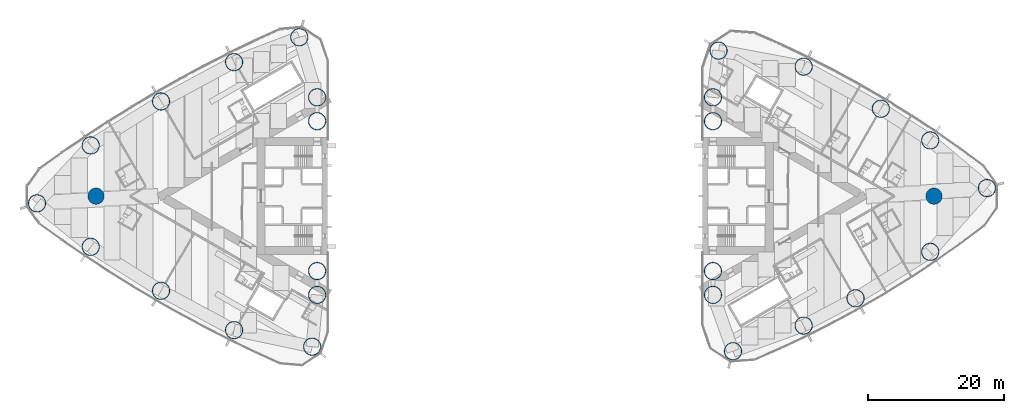
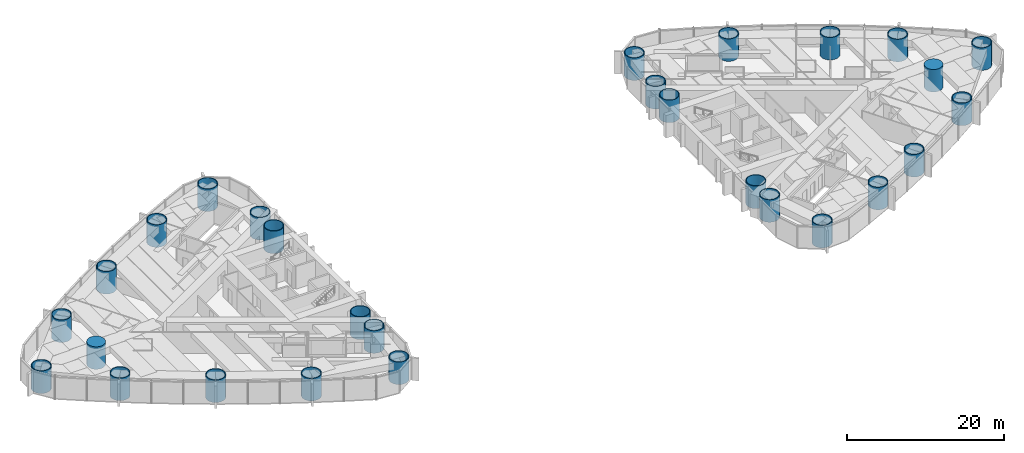
# One storey, part 1 of 18: 28 columns.
"""IFC4 building model written with IfcOpenShell, lengths in metres."""

from ifc_helpers import new_model, si_unit, direction, frame, origin, origin_2d, place, context, subcontext, project, spatial, circle, hollow_circle, extrude, material, material_profile, profile_set, type_object, element, save


model = new_model("IFC4")

# Units and contexts
model_context = context("Model", 3, precision=1e-05, world=origin(), true_north=direction((0.0, 1.0)))
body_context = subcontext(model_context, "Body", "Model", "MODEL_VIEW")
ifc_project = project(units=[si_unit("LENGTHUNIT", "METRE"), si_unit("AREAUNIT", "SQUARE_METRE"), si_unit("VOLUMEUNIT", "CUBIC_METRE"), si_unit("PLANEANGLEUNIT", "RADIAN"), si_unit("MASSUNIT", "GRAM", prefix="KILO")], contexts=[model_context])

# Site, building, storey
site_placement = place(None, origin())
site = spatial("IfcSite", under=ifc_project, at=site_placement, CompositionType="ELEMENT")
building_placement = place(site_placement, origin())
building = spatial("IfcBuilding", under=site, at=building_placement, Name="Lancet Gate Hotel", CompositionType="ELEMENT")
storey_placement = place(building_placement, frame((0.0, 0.0, 108.10009765625)))
storey = spatial("IfcBuildingStorey", under=building, at=storey_placement, Name="L28", CompositionType="ELEMENT", Elevation=108.10009765625)

# Columns
ifc_material_1 = material(Name="Concrete C80/95", Category="concrete")
ifc_material_profile_1 = material_profile(ifc_material_1, circle(Radius=1.199951171875, at=origin_2d()), Name="RC D2400")
ifc_profile_set_1 = profile_set([ifc_material_profile_1], Name="Concrete C80/95")
column_type_1 = type_object("IfcColumnType", Name="Apex column RC D2400", PredefinedType="COLUMN", material=ifc_profile_set_1)
for number, where, z_axis, x_axis, name in (
    (1, (-61.5, 0.0, 0.0), (0.0, 0.0, 1.0), (1.0, 0.0, 0.0), "T1 column AX L28"),
    (2, (61.5, 0.0, 0.0), (0.0, 0.0, 1.0), (1.0, 0.0, 0.0), "T2 column AX L28"),
):
    element("IfcColumn", number, at=place(storey_placement, frame(where, z_axis=z_axis, x_axis=x_axis)), inside=storey, type_object=column_type_1, Name=name, PredefinedType="COLUMN", context=body_context, shape_type="SweptSolid", body=[
        extrude(circle(Radius=1.199951171875, at=origin_2d()), origin(), (0.0, 0.0, 1.0), 3.5),
    ])
ifc_material_2 = material(Name="Composite filled tube, grade 460 plate, grade 80/95 fill", Category="composite")
ifc_material_profile_2 = material_profile(ifc_material_2, hollow_circle(Radius=1.300048828125, WallThickness=0.10009765625, at=origin_2d()), Name="CHS 2600x100")
ifc_profile_set_2 = profile_set([ifc_material_profile_2], Name="Composite filled tube, grade 460 plate, grade 80/95 fill")
column_type_2 = type_object("IfcColumnType", Name="Apex corner column CFT CHS 2600x100", PredefinedType="COLUMN", material=ifc_profile_set_2)
for number, where, z_axis, x_axis, name in (
    (3, (-70.16796875, -1.06005859375, 0.0), (0.0, 0.0, 1.0), (1.0, 0.0, 0.0), "T1 column CA L28"),
    (4, (69.268798828125, 1.1865234375, 0.0), (0.0, 0.0, 1.0), (1.0, 0.0, 0.0), "T2 column CA L28"),
):
    element("IfcColumn", number, at=place(storey_placement, frame(where, z_axis=z_axis, x_axis=x_axis)), inside=storey, type_object=column_type_2, Name=name, PredefinedType="COLUMN", context=body_context, shape_type="SweptSolid", body=[
        extrude(hollow_circle(Radius=1.300048828125, WallThickness=0.10009765625, at=origin_2d()), origin(), (0.0, 0.0, 1.0), 3.5),
    ])
ifc_material_3 = material(Name="Composite filled tube, grade 460 plate, grade 80/95 fill", Category="composite")
ifc_material_profile_3 = material_profile(ifc_material_3, hollow_circle(Radius=1.300048828125, WallThickness=0.10009765625, at=origin_2d()), Name="CHS 2600x100")
ifc_profile_set_3 = profile_set([ifc_material_profile_3], Name="Composite filled tube, grade 460 plate, grade 80/95 fill")
column_type_3 = type_object("IfcColumnType", Name="Perimeter column CFT CHS 2600x100", PredefinedType="COLUMN", material=ifc_profile_set_3)
for number, where, z_axis, x_axis, name in (
    (5, (-29.781005859375, -22.0947265625, 0.0), (0.0, 0.0, 1.0), (1.0, 0.0, 0.0), "T1 column CN L28"),
    (6, (-31.66455078125, 23.318359375, 0.0), (0.0, 0.0, 1.0), (1.0, 0.0, 0.0), "T1 column CS L28"),
    (7, (-29.050048828125, -11.0, 0.0), (0.0, 0.0, 1.0), (1.0, 0.0, 0.0), "T1 column IN L28"),
    (8, (-29.050048828125, 11.0, 0.0), (0.0, 0.0, 1.0), (1.0, 0.0, 0.0), "T1 column IS L28"),
    (9, (-29.050048828125, 14.5, 0.0), (0.0, 0.0, 1.0), (1.0, 0.0, 0.0), "T1 column IT L28"),
    (10, (-29.050048828125, -14.5, 0.0), (0.0, 0.0, 1.0), (1.0, 0.0, 0.0), "T1 column JT L28"),
    (11, (-62.28662109375, -7.444580078125, 0.0), (0.0, 0.0, 1.0), (1.0, 0.0, 0.0), "T1 column ON1 L28"),
    (12, (-51.963134765625, -13.89501953125, 0.0), (0.0, 0.0, 1.0), (1.0, 0.0, 0.0), "T1 column ON2 L28"),
    (13, (-41.244873046875, -19.665771484375, 0.0), (0.0, 0.0, 1.0), (1.0, 0.0, 0.0), "T1 column ON3 L28"),
    (14, (-41.244873046875, 19.665771484375, 0.0), (0.0, 0.0, 1.0), (1.0, 0.0, 0.0), "T1 column OS1 L28"),
    (15, (-51.963134765625, 13.89501953125, 0.0), (0.0, 0.0, 1.0), (1.0, 0.0, 0.0), "T1 column OS2 L28"),
    (16, (-62.28662109375, 7.444580078125, 0.0), (0.0, 0.0, 1.0), (1.0, 0.0, 0.0), "T1 column OS3 L28"),
    (17, (29.8720703125, 21.35498046875, 0.0), (0.0, 0.0, 1.0), (1.0, 0.0, 0.0), "T2 column CN L28"),
    (18, (31.99609375, -22.76318359375, 0.0), (0.0, 0.0, 1.0), (1.0, 0.0, 0.0), "T2 column CS L28"),
    (19, (29.050048828125, 11.0, 0.0), (0.0, 0.0, 1.0), (1.0, 0.0, 0.0), "T2 column IN L28"),
    (20, (29.050048828125, -11.0, 0.0), (0.0, 0.0, 1.0), (1.0, 0.0, 0.0), "T2 column IS L28"),
    (21, (29.050048828125, -14.5, 0.0), (0.0, 0.0, 1.0), (1.0, 0.0, 0.0), "T2 column IT L28"),
    (22, (29.050048828125, 14.5, 0.0), (0.0, 0.0, 1.0), (1.0, 0.0, 0.0), "T2 column JT L28"),
    (23, (60.940673828125, 8.18115234375, 0.0), (0.0, 0.0, 1.0), (1.0, 0.0, 0.0), "T2 column ON1 L28"),
    (24, (53.697021484375, 12.827392578125, 0.0), (0.0, 0.0, 1.0), (1.0, 0.0, 0.0), "T2 column ON2 L28"),
    (25, (42.3662109375, 19.007080078125, 0.0), (0.0, 0.0, 1.0), (1.0, 0.0, 0.0), "T2 column ON3 L28"),
    (26, (42.3662109375, -19.007080078125, 0.0), (0.0, 0.0, 1.0), (1.0, 0.0, 0.0), "T2 column OS1 L28"),
    (27, (49.97900390625, -14.994384765625, 0.0), (0.0, 0.0, 1.0), (1.0, 0.0, 0.0), "T2 column OS2 L28"),
    (28, (60.940673828125, -8.18115234375, 0.0), (0.0, 0.0, 1.0), (1.0, 0.0, 0.0), "T2 column OS3 L28"),
):
    element("IfcColumn", number, at=place(storey_placement, frame(where, z_axis=z_axis, x_axis=x_axis)), inside=storey, type_object=column_type_3, Name=name, PredefinedType="COLUMN", context=body_context, shape_type="SweptSolid", body=[
        extrude(hollow_circle(Radius=1.300048828125, WallThickness=0.10009765625, at=origin_2d()), origin(), (0.0, 0.0, 1.0), 3.5),
    ])

save(model, "model.ifc")
